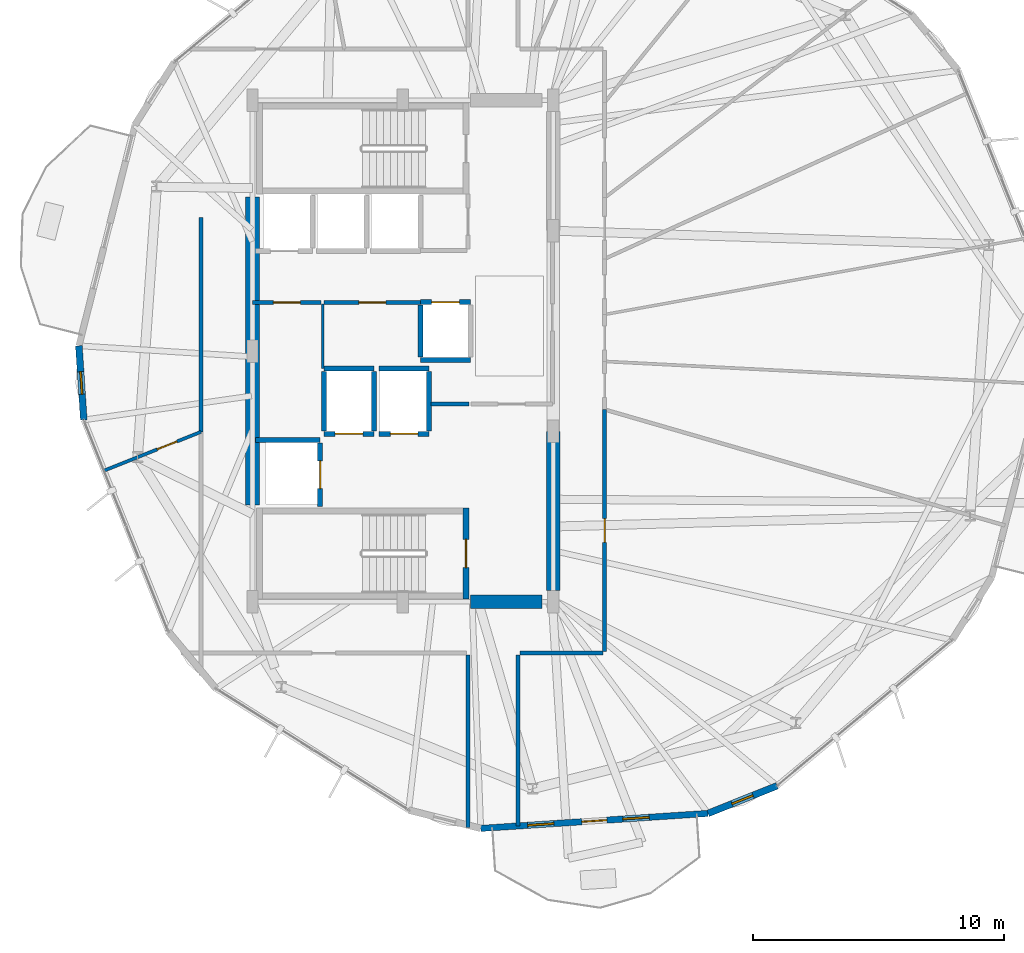
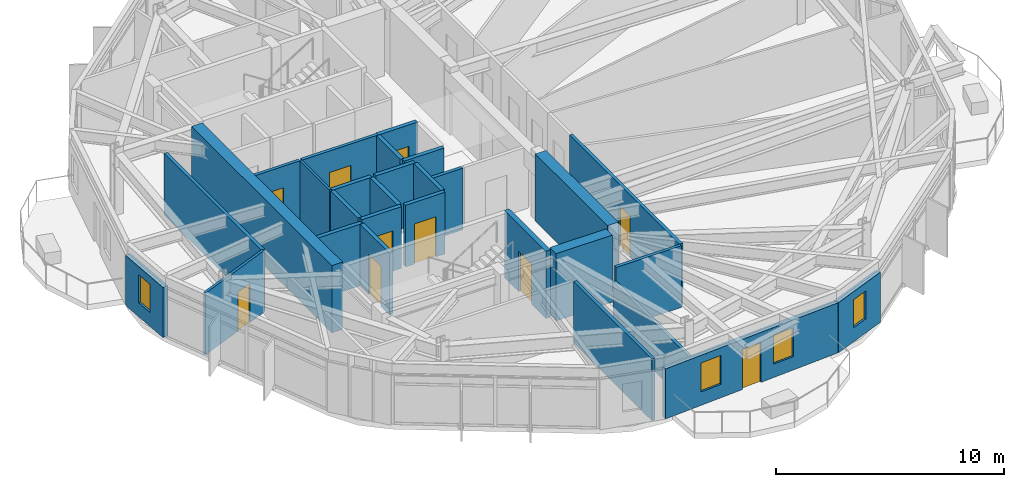
# One storey, part 19 of 24: 29 walls, 10 doors, 4 windows, 14 openings.
"""IFC4 building model written with IfcOpenShell, lengths in metres."""

from ifc_helpers import new_model, si_unit, direction, frame, frame_2d, origin, place, context, subcontext, project, spatial, rectangle, extrude, material, layer, layer_set, type_object, element, fill, save


model = new_model("IFC4")

# Units and contexts
model_context = context("Model", 3, precision=1e-05, world=origin(), true_north=direction((0.0, 1.0)))
body_context = subcontext(model_context, "Body", "Model", "MODEL_VIEW")
ifc_project = project(units=[si_unit("LENGTHUNIT", "METRE"), si_unit("AREAUNIT", "SQUARE_METRE"), si_unit("VOLUMEUNIT", "CUBIC_METRE"), si_unit("PLANEANGLEUNIT", "RADIAN"), si_unit("MASSUNIT", "GRAM", prefix="KILO")], contexts=[model_context])

# Site, building, storey
site_placement = place(None, origin())
site = spatial("IfcSite", under=ifc_project, at=site_placement, CompositionType="ELEMENT")
building_placement = place(site_placement, origin())
building = spatial("IfcBuilding", under=site, at=building_placement, Name="Soratama Intermodal Tower", CompositionType="ELEMENT")
storey_placement = place(building_placement, frame((0.0, 0.0, 178.60009765625)))
storey = spatial("IfcBuildingStorey", under=building, at=storey_placement, Name="L44", CompositionType="ELEMENT", Elevation=178.60009765625)

# Wall, openings, door, windows
ifc_material_1 = material(Name="Concrete f'c 42 MPa", Category="concrete")
ifc_layer_1 = layer(ifc_material_1, 0.25)
ifc_layer_set_1 = layer_set([ifc_layer_1], Name="Concrete f'c 42 MPa")
wall_type_1 = type_object("IfcWallType", Name="EW-BAL-250", PredefinedType="SOLIDWALL", material=ifc_layer_set_1)
wall_1_placement = place(storey_placement, frame((41.70458984375, 5.9580078125, 0.0), z_axis=(0.0, 0.0, 1.0), x_axis=(0.997825981394, 0.06590380001, 0.0)))
wall_1 = element("IfcWall", 1, at=wall_1_placement, inside=storey, type_object=wall_type_1, Name="L44 Terrace Wall F07", PredefinedType="SOLIDWALL", context=body_context, shape_type="SweptSolid", body=[
    extrude(rectangle(XDim=9.087158203125, YDim=0.25, at=frame_2d((4.54345703125, 0.0))), origin(), (0.0, 0.0, 1.0), 2.678955078125),
])
opening_1_placement = place(wall_1_placement, frame((4.04345703125, 0.0, 0.0)))
opening_1 = element("IfcOpeningElement", 2, at=opening_1_placement, cuts=wall_1, Name="Opening ED-2", PredefinedType="OPENING", context=body_context, shape_type="SweptSolid", body=[
    extrude(rectangle(XDim=1.0, YDim=2.14990234375, at=frame_2d((0.5, 1.074951171875))), frame((0.0, 0.135009765625, 0.0), z_axis=(0.0, -1.0, 0.0), x_axis=(1.0, 0.0, 0.0)), (0.0, 0.0, 1.0), 0.27001953125),
])
opening_2_placement = place(wall_1_placement, frame((1.875, 0.0, 0.719970703125)))
opening_2 = element("IfcOpeningElement", 3, at=opening_2_placement, cuts=wall_1, Name="Opening WN-5", PredefinedType="OPENING", context=body_context, shape_type="SweptSolid", body=[
    extrude(rectangle(XDim=1.050048828125, YDim=1.550048828125, at=frame_2d((0.52490234375, 0.77490234375))), frame((0.0, 0.135009765625, 0.0), z_axis=(0.0, -1.0, 0.0), x_axis=(1.0, 0.0, 0.0)), (0.0, 0.0, 1.0), 0.27001953125),
])
opening_3_placement = place(wall_1_placement, frame((5.68359375, 0.0, 0.719970703125)))
opening_3 = element("IfcOpeningElement", 4, at=opening_3_placement, cuts=wall_1, Name="Opening WN-5", PredefinedType="OPENING", context=body_context, shape_type="SweptSolid", body=[
    extrude(rectangle(XDim=1.050048828125, YDim=1.550048828125, at=frame_2d((0.52490234375, 0.77490234375))), frame((0.0, 0.135009765625, 0.0), z_axis=(0.0, -1.0, 0.0), x_axis=(1.0, 0.0, 0.0)), (0.0, 0.0, 1.0), 0.27001953125),
])
ifc_material_2 = material(Name="Double-glazed aluminium door", Category="aluminium")
door_type_1 = type_object("IfcDoorType", Name="DR-BAL-1000", OperationType="NOTDEFINED", PredefinedType="DOOR", material=ifc_material_2)
door_1_placement = place(opening_1_placement, origin())
door_1 = element("IfcDoor", 5, at=door_1_placement, inside=storey, type_object=door_type_1, Name="L44 Balcony Door F07", OperationType="SINGLE_SWING_LEFT", OverallHeight=2.14990234375, OverallWidth=1.0, PredefinedType="DOOR", context=body_context, shape_type="SweptSolid", body=[
    extrude(rectangle(XDim=1.0, YDim=2.14990234375, at=frame_2d((0.5, 1.074951171875))), frame((0.0, 0.02490234375, 0.0), z_axis=(0.0, -1.0, 0.0), x_axis=(1.0, 0.0, 0.0)), (0.0, 0.0, 1.0), 0.050048828125),
])
fill(opening_1, door_1)
ifc_material_3 = material(Name="Double-glazed aluminium window", Category="aluminium")
window_type_1 = type_object("IfcWindowType", Name="WN-FAC-1050", PartitioningType="SINGLE_PANEL", PredefinedType="WINDOW", material=ifc_material_3)
window_1_placement = place(opening_2_placement, origin())
window_1 = element("IfcWindow", 6, at=window_1_placement, inside=storey, type_object=window_type_1, Name="L44 Window A F07", OverallHeight=1.550048828125, OverallWidth=1.050048828125, PartitioningType="SINGLE_PANEL", PredefinedType="WINDOW", context=body_context, shape_type="SweptSolid", body=[
    extrude(rectangle(XDim=1.050048828125, YDim=1.550048828125, at=frame_2d((0.52490234375, 0.77490234375))), frame((0.0, 0.030029296875, 0.0), z_axis=(0.0, -1.0, 0.0), x_axis=(1.0, 0.0, 0.0)), (0.0, 0.0, 1.0), 0.06005859375),
])
fill(opening_2, window_1)
window_2_placement = place(opening_3_placement, origin())
window_2 = element("IfcWindow", 7, at=window_2_placement, inside=storey, type_object=window_type_1, Name="L44 Window B F07", OverallHeight=1.550048828125, OverallWidth=1.050048828125, PartitioningType="SINGLE_PANEL", PredefinedType="WINDOW", context=body_context, shape_type="SweptSolid", body=[
    extrude(rectangle(XDim=1.050048828125, YDim=1.550048828125, at=frame_2d((0.52490234375, 0.77490234375))), frame((0.0, 0.030029296875, 0.0), z_axis=(0.0, -1.0, 0.0), x_axis=(1.0, 0.0, 0.0)), (0.0, 0.0, 1.0), 0.06005859375),
])
fill(opening_3, window_2)

# Wall, opening, window
ifc_material_4 = material(Name="Concrete f'c 42 MPa", Category="concrete")
ifc_layer_2 = layer(ifc_material_4, 0.27001953125)
ifc_layer_set_2 = layer_set([ifc_layer_2], Name="Concrete f'c 42 MPa")
wall_type_2 = type_object("IfcWallType", Name="EW-CRN-270", PredefinedType="SOLIDWALL", material=ifc_layer_set_2)
wall_2_placement = place(storey_placement, frame((25.676025390625, 25.209716796875, 0.0), z_axis=(0.0, 0.0, 1.0), x_axis=(0.065923586617, -0.997824674343, 0.0)))
wall_2 = element("IfcWall", 8, at=wall_2_placement, inside=storey, type_object=wall_type_2, Name="L44 Corner Closure Wall 04", PredefinedType="SOLIDWALL", context=body_context, shape_type="SweptSolid", body=[
    extrude(rectangle(XDim=2.96630859375, YDim=0.27001953125, at=frame_2d((1.483154296875, 0.0))), origin(), (0.0, 0.0, 1.0), 2.678955078125),
])
opening_4_placement = place(wall_2_placement, frame((1.033203125, 0.0, 0.75)))
opening_4 = element("IfcOpeningElement", 9, at=opening_4_placement, cuts=wall_2, Name="Opening WN-6", PredefinedType="OPENING", context=body_context, shape_type="SweptSolid", body=[
    extrude(rectangle(XDim=0.89990234375, YDim=1.5, at=frame_2d((0.449951171875, 0.75))), frame((0.0, 0.14501953125, 0.0), z_axis=(0.0, -1.0, 0.0), x_axis=(1.0, 0.0, 0.0)), (0.0, 0.0, 1.0), 0.2900390625),
])
ifc_material_5 = material(Name="Double-glazed aluminium window", Category="aluminium")
window_type_2 = type_object("IfcWindowType", Name="WN-FAC-900", PartitioningType="SINGLE_PANEL", PredefinedType="WINDOW", material=ifc_material_5)
window_3_placement = place(opening_4_placement, origin())
window_3 = element("IfcWindow", 10, at=window_3_placement, inside=storey, type_object=window_type_2, Name="L44 Corner Window 04", OverallHeight=1.5, OverallWidth=0.89990234375, PartitioningType="SINGLE_PANEL", PredefinedType="WINDOW", context=body_context, shape_type="SweptSolid", body=[
    extrude(rectangle(XDim=0.89990234375, YDim=1.5, at=frame_2d((0.449951171875, 0.75))), frame((0.0, 0.030029296875, 0.0), z_axis=(0.0, -1.0, 0.0), x_axis=(1.0, 0.0, 0.0)), (0.0, 0.0, 1.0), 0.06005859375),
])
fill(opening_4, window_3)

wall_3_placement = place(storey_placement, frame((50.77197265625, 6.556884765625, 0.0), z_axis=(0.0, 0.0, 1.0), x_axis=(0.928595836805, 0.371092672884, 0.0)))
wall_3 = element("IfcWall", 11, at=wall_3_placement, inside=storey, type_object=wall_type_2, Name="L44 Corner Closure Wall 07", PredefinedType="SOLIDWALL", context=body_context, shape_type="SweptSolid", body=[
    extrude(rectangle(XDim=2.966552734375, YDim=0.27001953125, at=frame_2d((1.4833984375, 0.0))), origin(), (0.0, 0.0, 1.0), 2.678955078125),
])
opening_5_placement = place(wall_3_placement, frame((1.033203125, 0.0, 0.75)))
opening_5 = element("IfcOpeningElement", 12, at=opening_5_placement, cuts=wall_3, Name="Opening WN-6", PredefinedType="OPENING", context=body_context, shape_type="SweptSolid", body=[
    extrude(rectangle(XDim=0.89990234375, YDim=1.5, at=frame_2d((0.449951171875, 0.75))), frame((0.0, 0.14501953125, 0.0), z_axis=(0.0, -1.0, 0.0), x_axis=(1.0, 0.0, 0.0)), (0.0, 0.0, 1.0), 0.2900390625),
])
window_4_placement = place(opening_5_placement, origin())
window_4 = element("IfcWindow", 13, at=window_4_placement, inside=storey, type_object=window_type_2, Name="L44 Corner Window 07", OverallHeight=1.5, OverallWidth=0.89990234375, PartitioningType="SINGLE_PANEL", PredefinedType="WINDOW", context=body_context, shape_type="SweptSolid", body=[
    extrude(rectangle(XDim=0.89990234375, YDim=1.5, at=frame_2d((0.449951171875, 0.75))), frame((0.0, 0.030029296875, 0.0), z_axis=(0.0, -1.0, 0.0), x_axis=(1.0, 0.0, 0.0)), (0.0, 0.0, 1.0), 0.06005859375),
])
fill(opening_5, window_4)

# Wall, opening, door
ifc_material_6 = material(Name="Fire-rated gypsum stud partition", Category="concrete")
ifc_layer_3 = layer(ifc_material_6, 0.159912109375)
ifc_layer_set_3 = layer_set([ifc_layer_3], Name="Fire-rated gypsum stud partition")
wall_type_3 = type_object("IfcWallType", Name="IW-PART-R160", PredefinedType="PARTITIONING", material=ifc_layer_set_3)
wall_4_placement = place(storey_placement, frame((46.64990234375, 22.6669921875, 0.0), z_axis=(0.0, 0.0, 1.0), x_axis=(0.0, -1.0, 0.0)))
wall_4 = element("IfcWall", 14, at=wall_4_placement, inside=storey, type_object=wall_type_3, Name="L44 Partition W-L44-TP008", PredefinedType="PARTITIONING", context=body_context, shape_type="SweptSolid", body=[
    extrude(rectangle(XDim=9.64697265625, YDim=0.159912109375, at=frame_2d((4.823486328125, 0.0))), origin(), (0.0, 0.0, 1.0), 3.2998046875),
])
opening_6_placement = place(wall_4_placement, frame((4.34912109375, 0.0, 0.0)))
opening_6 = element("IfcOpeningElement", 15, at=opening_6_placement, cuts=wall_4, Name="Opening ID-3", PredefinedType="OPENING", context=body_context, shape_type="SweptSolid", body=[
    extrude(rectangle(XDim=0.949951171875, YDim=2.14990234375, at=frame_2d((0.47509765625, 1.074951171875))), frame((0.0, 0.08984375, 0.0), z_axis=(0.0, -1.0, 0.0), x_axis=(1.0, 0.0, 0.0)), (0.0, 0.0, 1.0), 0.179931640625),
])
ifc_material_7 = material(Name="Solid hardwood acoustic door", Category="wood")
door_type_2 = type_object("IfcDoorType", Name="DR-ROOM-950", OperationType="NOTDEFINED", PredefinedType="DOOR", material=ifc_material_7)
door_2_placement = place(opening_6_placement, origin())
door_2 = element("IfcDoor", 16, at=door_2_placement, inside=storey, type_object=door_type_2, Name="L44 Door D-L44-TP002", OperationType="SINGLE_SWING_LEFT", OverallHeight=2.14990234375, OverallWidth=0.949951171875, PredefinedType="DOOR", context=body_context, shape_type="SweptSolid", body=[
    extrude(rectangle(XDim=0.949951171875, YDim=2.14990234375, at=frame_2d((0.47509765625, 1.074951171875))), frame((0.0, 0.02490234375, 0.0), z_axis=(0.0, -1.0, 0.0), x_axis=(1.0, 0.0, 0.0)), (0.0, 0.0, 1.0), 0.050048828125),
])
fill(opening_6, door_2)

# Walls
wall_5_placement = place(storey_placement, frame((41.199951171875, 6.00390625, 0.0), z_axis=(0.0, 0.0, 1.0), x_axis=(0.0, 1.0, 0.0)))
element("IfcWall", 17, at=wall_5_placement, inside=storey, type_object=wall_type_3, Name="L44 Partition W-L44-TP012", PredefinedType="PARTITIONING", context=body_context, shape_type="SweptSolid", body=[
    extrude(rectangle(XDim=6.8759765625, YDim=0.159912109375, at=frame_2d((3.43798828125, 0.0))), origin(), (0.0, 0.0, 1.0), 3.2998046875),
])
wall_6_placement = place(storey_placement, frame((43.199951171875, 12.8798828125, 0.0), z_axis=(0.0, 0.0, 1.0), x_axis=(0.0, -1.0, 0.0)))
element("IfcWall", 18, at=wall_6_placement, inside=storey, type_object=wall_type_3, Name="L44 Partition W-L44-TP013", PredefinedType="PARTITIONING", context=body_context, shape_type="SweptSolid", body=[
    extrude(rectangle(XDim=6.822998046875, YDim=0.159912109375, at=frame_2d((3.41162109375, 0.0))), origin(), (0.0, 0.0, 1.0), 2.594970703125),
])

# Wall, opening, door
wall_7_placement = place(storey_placement, frame((39.300048828125, 26.93994140625, 0.0), z_axis=(0.0, 0.0, 1.0), x_axis=(-1.0, 0.0, 0.0)))
wall_7 = element("IfcWall", 19, at=wall_7_placement, inside=storey, type_object=wall_type_3, Name="L44 Partition W-L44-TP020", PredefinedType="PARTITIONING", context=body_context, shape_type="SweptSolid", body=[
    extrude(rectangle(XDim=3.840087890625, YDim=0.159912109375, at=frame_2d((1.919921875, 0.0))), origin(), (0.0, 0.0, 1.0), 3.2998046875),
])
opening_7_placement = place(wall_7_placement, frame((1.3798828125, 0.0, 0.0)))
opening_7 = element("IfcOpeningElement", 20, at=opening_7_placement, cuts=wall_7, Name="Opening ID-1", PredefinedType="OPENING", context=body_context, shape_type="SweptSolid", body=[
    extrude(rectangle(XDim=1.080078125, YDim=2.14990234375, at=frame_2d((0.5400390625, 1.074951171875))), frame((0.0, 0.08984375, 0.0), z_axis=(0.0, -1.0, 0.0), x_axis=(1.0, 0.0, 0.0)), (0.0, 0.0, 1.0), 0.179931640625),
])
ifc_material_8 = material(Name="Solid hardwood acoustic door", Category="wood")
door_type_3 = type_object("IfcDoorType", Name="DR-LOB-FD60", OperationType="NOTDEFINED", PredefinedType="DOOR", material=ifc_material_8)
door_3_placement = place(opening_7_placement, origin())
door_3 = element("IfcDoor", 21, at=door_3_placement, inside=storey, type_object=door_type_3, Name="L44 Door D-L44-TP007", OperationType="SINGLE_SWING_RIGHT", OverallHeight=2.14990234375, OverallWidth=1.080078125, PredefinedType="DOOR", context=body_context, shape_type="SweptSolid", body=[
    extrude(rectangle(XDim=1.080078125, YDim=2.14990234375, at=frame_2d((0.5400390625, 1.074951171875))), frame((0.0, 0.02490234375, 0.0), z_axis=(0.0, -1.0, 0.0), x_axis=(1.0, 0.0, 0.0)), (0.0, 0.0, 1.0), 0.050048828125),
])
fill(opening_7, door_3)

# Wall
wall_8_placement = place(storey_placement, frame((46.580078125, 12.949951171875, 0.0), z_axis=(0.0, 0.0, 1.0), x_axis=(-1.0, 0.0, 0.0)))
element("IfcWall", 22, at=wall_8_placement, inside=storey, type_object=wall_type_3, Name="L44 Partition W-L44-TP022", PredefinedType="PARTITIONING", context=body_context, shape_type="SweptSolid", body=[
    extrude(rectangle(XDim=3.31005859375, YDim=0.159912109375, at=frame_2d((1.655029296875, 0.0))), origin(), (0.0, 0.0, 1.0), 3.2998046875),
])

# Wall, opening, door
wall_9_placement = place(storey_placement, frame((35.340087890625, 26.93994140625, 0.0), z_axis=(0.0, 0.0, 1.0), x_axis=(-1.0, 0.0, 0.0)))
wall_9 = element("IfcWall", 23, at=wall_9_placement, inside=storey, type_object=wall_type_3, Name="L44 Partition W-L44-TP024", PredefinedType="PARTITIONING", context=body_context, shape_type="SweptSolid", body=[
    extrude(rectangle(XDim=2.739990234375, YDim=0.159912109375, at=frame_2d((1.3701171875, 0.0))), origin(), (0.0, 0.0, 1.0), 3.2998046875),
])
opening_8_placement = place(wall_9_placement, frame((0.830078125, 0.0, 0.0)))
opening_8 = element("IfcOpeningElement", 24, at=opening_8_placement, cuts=wall_9, Name="Opening ID-1", PredefinedType="OPENING", context=body_context, shape_type="SweptSolid", body=[
    extrude(rectangle(XDim=1.080078125, YDim=2.14990234375, at=frame_2d((0.5400390625, 1.074951171875))), frame((0.0, 0.08984375, 0.0), z_axis=(0.0, -1.0, 0.0), x_axis=(1.0, 0.0, 0.0)), (0.0, 0.0, 1.0), 0.179931640625),
])
door_4_placement = place(opening_8_placement, origin())
door_4 = element("IfcDoor", 25, at=door_4_placement, inside=storey, type_object=door_type_3, Name="L44 Door D-L44-TP010", OperationType="SINGLE_SWING_LEFT", OverallHeight=2.14990234375, OverallWidth=1.080078125, PredefinedType="DOOR", context=body_context, shape_type="SweptSolid", body=[
    extrude(rectangle(XDim=1.080078125, YDim=2.14990234375, at=frame_2d((0.5400390625, 1.074951171875))), frame((0.0, 0.02490234375, 0.0), z_axis=(0.0, -1.0, 0.0), x_axis=(1.0, 0.0, 0.0)), (0.0, 0.0, 1.0), 0.050048828125),
])
fill(opening_8, door_4)

# Walls
wall_10_placement = place(storey_placement, frame((30.550048828125, 21.778076171875, 0.0), z_axis=(0.0, 0.0, 1.0), x_axis=(0.0, 1.0, 0.0)))
element("IfcWall", 26, at=wall_10_placement, inside=storey, type_object=wall_type_3, Name="L44 Partition W-L44-TP036", PredefinedType="PARTITIONING", context=body_context, shape_type="SweptSolid", body=[
    extrude(rectangle(XDim=8.554931640625, YDim=0.159912109375, at=frame_2d((4.27734375, 0.0))), origin(), (0.0, 0.0, 1.0), 3.2998046875),
])
ifc_material_9 = material(Name="Fire-rated gypsum stud partition", Category="concrete")
ifc_layer_4 = layer(ifc_material_9, 0.169921875)
ifc_layer_set_4 = layer_set([ifc_layer_4], Name="Fire-rated gypsum stud partition")
wall_type_4 = type_object("IfcWallType", Name="IW-PART-R170", PredefinedType="PARTITIONING", material=ifc_layer_set_4)
wall_11_placement = place(storey_placement, frame((39.719970703125, 22.889892578125, 0.0), z_axis=(0.0, 0.0, 1.0), x_axis=(1.0, 0.0, 0.0)))
element("IfcWall", 27, at=wall_11_placement, inside=storey, type_object=wall_type_4, Name="L44 Partition W-L44-TP034", PredefinedType="PARTITIONING", context=body_context, shape_type="SweptSolid", body=[
    extrude(rectangle(XDim=1.52001953125, YDim=0.169921875, at=frame_2d((0.760009765625, 0.0))), origin(), (0.0, 0.0, 1.0), 3.2998046875),
])
ifc_material_10 = material(Name="Fire-rated gypsum stud partition", Category="concrete")
ifc_layer_5 = layer(ifc_material_10, 0.110107421875)
ifc_layer_set_5 = layer_set([ifc_layer_5], Name="Fire-rated gypsum stud partition")
wall_type_5 = type_object("IfcWallType", Name="IW-PART-S110", PredefinedType="PARTITIONING", material=ifc_layer_set_5)
wall_12_placement = place(storey_placement, frame((35.39990234375, 26.8798828125, 0.0), z_axis=(0.0, 0.0, 1.0), x_axis=(0.0, -1.0, 0.0)))
element("IfcWall", 28, at=wall_12_placement, inside=storey, type_object=wall_type_5, Name="L44 Partition W-L44-TP026", PredefinedType="PARTITIONING", context=body_context, shape_type="SweptSolid", body=[
    extrude(rectangle(XDim=2.579833984375, YDim=0.110107421875, at=frame_2d((1.2900390625, 0.0))), origin(), (0.0, 0.0, 1.0), 3.2998046875),
])

# Wall, opening, door
ifc_material_11 = material(Name="Fire-rated gypsum stud partition", Category="concrete")
ifc_layer_6 = layer(ifc_material_11, 0.1298828125)
ifc_layer_set_6 = layer_set([ifc_layer_6], Name="Fire-rated gypsum stud partition")
wall_type_6 = type_object("IfcWallType", Name="IW-PART-S130", PredefinedType="PARTITIONING", material=ifc_layer_set_6)
wall_13_placement = place(storey_placement, frame((30.550048828125, 21.778076171875, 0.0), z_axis=(0.0, 0.0, 1.0), x_axis=(-0.928504957858, -0.371320001121, 0.0)))
wall_13 = element("IfcWall", 29, at=wall_13_placement, inside=storey, type_object=wall_type_6, Name="L44 Partition W-L44-TP019", PredefinedType="PARTITIONING", context=body_context, shape_type="SweptSolid", body=[
    extrude(rectangle(XDim=4.169189453125, YDim=0.1298828125, at=frame_2d((2.08447265625, 0.0))), origin(), (0.0, 0.0, 1.0), 3.2998046875),
])
opening_9_placement = place(wall_13_placement, frame((1.033935546875, 0.0, 0.0)))
opening_9 = element("IfcOpeningElement", 30, at=opening_9_placement, cuts=wall_13, Name="Opening ID-4", PredefinedType="OPENING", context=body_context, shape_type="SweptSolid", body=[
    extrude(rectangle(XDim=0.85009765625, YDim=2.10009765625, at=frame_2d((0.425048828125, 1.050048828125))), frame((0.0, 0.074951171875, 0.0), z_axis=(0.0, -1.0, 0.0), x_axis=(1.0, 0.0, 0.0)), (0.0, 0.0, 1.0), 0.14990234375),
])
ifc_material_12 = material(Name="Solid hardwood acoustic door", Category="wood")
door_type_4 = type_object("IfcDoorType", Name="DR-BATH-850", OperationType="NOTDEFINED", PredefinedType="DOOR", material=ifc_material_12)
door_5_placement = place(opening_9_placement, origin())
door_5 = element("IfcDoor", 31, at=door_5_placement, inside=storey, type_object=door_type_4, Name="L44 Door D-L44-TP017", OperationType="SINGLE_SWING_LEFT", OverallHeight=2.10009765625, OverallWidth=0.85009765625, PredefinedType="DOOR", context=body_context, shape_type="SweptSolid", body=[
    extrude(rectangle(XDim=0.85009765625, YDim=2.10009765625, at=frame_2d((0.425048828125, 1.050048828125))), frame((0.0, 0.02490234375, 0.0), z_axis=(0.0, -1.0, 0.0), x_axis=(1.0, 0.0, 0.0)), (0.0, 0.0, 1.0), 0.050048828125),
])
fill(opening_9, door_5)

ifc_material_13 = material(Name="Concrete f'c 42 MPa", Category="concrete")
ifc_layer_7 = layer(ifc_material_13, 0.199951171875)
ifc_layer_set_7 = layer_set([ifc_layer_7], Name="Concrete f'c 42 MPa")
wall_type_7 = type_object("IfcWallType", Name="IW-SHAFT-200", PredefinedType="SOLIDWALL", material=ifc_layer_set_7)
wall_14_placement = place(storey_placement, frame((35.449951171875, 21.699951171875, 0.0), z_axis=(0.0, 0.0, 1.0), x_axis=(1.0, 0.0, 0.0)))
wall_14 = element("IfcWall", 32, at=wall_14_placement, inside=storey, type_object=wall_type_7, Name="L44 FFL-1 Hoistway Wall S", PredefinedType="SOLIDWALL", context=body_context, shape_type="SweptSolid", body=[
    extrude(rectangle(XDim=2.0, YDim=0.199951171875, at=frame_2d((1.0, 0.0))), origin(), (0.0, 0.0, 1.0), 3.2998046875),
])
opening_10_placement = place(wall_14_placement, frame((0.449951171875, 0.0, 0.0)))
opening_10 = element("IfcOpeningElement", 33, at=opening_10_placement, cuts=wall_14, Name="Opening LD-1", PredefinedType="OPENING", context=body_context, shape_type="SweptSolid", body=[
    extrude(rectangle(XDim=1.10009765625, YDim=2.14990234375, at=frame_2d((0.550048828125, 1.074951171875))), frame((0.0, 0.10986328125, 0.0), z_axis=(0.0, -1.0, 0.0), x_axis=(1.0, 0.0, 0.0)), (0.0, 0.0, 1.0), 0.219970703125),
])
ifc_material_14 = material(Name="Steel fire door", Category="steel")
door_type_5 = type_object("IfcDoorType", Name="DR-LIFT-SLIDE", OperationType="NOTDEFINED", PredefinedType="DOOR", material=ifc_material_14)
door_6_placement = place(opening_10_placement, origin())
door_6 = element("IfcDoor", 34, at=door_6_placement, inside=storey, type_object=door_type_5, Name="L44 FFL-1 Sliding Landing Door", OperationType="SLIDING_TO_LEFT", OverallHeight=2.14990234375, OverallWidth=1.10009765625, PredefinedType="DOOR", context=body_context, shape_type="SweptSolid", body=[
    extrude(rectangle(XDim=1.10009765625, YDim=2.14990234375, at=frame_2d((0.550048828125, 1.074951171875))), frame((0.0, 0.02490234375, 0.0), z_axis=(0.0, -1.0, 0.0), x_axis=(1.0, 0.0, 0.0)), (0.0, 0.0, 1.0), 0.050048828125),
])
fill(opening_10, door_6)

# Walls
wall_15_placement = place(storey_placement, frame((35.449951171875, 24.300048828125, 0.0), z_axis=(0.0, 0.0, 1.0), x_axis=(1.0, 0.0, 0.0)))
element("IfcWall", 35, at=wall_15_placement, inside=storey, type_object=wall_type_7, Name="L44 FFL-1 Hoistway Wall N", PredefinedType="SOLIDWALL", context=body_context, shape_type="SweptSolid", body=[
    extrude(rectangle(XDim=2.0, YDim=0.199951171875, at=frame_2d((1.0, 0.0))), origin(), (0.0, 0.0, 1.0), 3.2998046875),
])
for number, where, z_axis, x_axis, name in (
    (36, (35.449951171875, 21.81005859375, 0.0), (0.0, 0.0, 1.0), (0.0, 1.0, 0.0), "L44 FFL-1 Hoistway Wall W"),
    (37, (37.449951171875, 21.81005859375, 0.0), (0.0, 0.0, 1.0), (0.0, 1.0, 0.0), "L44 FFL-1 Hoistway Wall E"),
):
    element("IfcWall", number, at=place(storey_placement, frame(where, z_axis=z_axis, x_axis=x_axis)), inside=storey, type_object=wall_type_7, Name=name, PredefinedType="SOLIDWALL", context=body_context, shape_type="SweptSolid", body=[
        extrude(rectangle(XDim=2.3798828125, YDim=0.199951171875, at=frame_2d((1.18994140625, 0.0))), origin(), (0.0, 0.0, 1.0), 3.2998046875),
    ])

# Wall, opening, door
wall_16_placement = place(storey_placement, frame((37.64990234375, 21.699951171875, 0.0), z_axis=(0.0, 0.0, 1.0), x_axis=(1.0, 0.0, 0.0)))
wall_16 = element("IfcWall", 38, at=wall_16_placement, inside=storey, type_object=wall_type_7, Name="L44 FFL-2 Hoistway Wall S", PredefinedType="SOLIDWALL", context=body_context, shape_type="SweptSolid", body=[
    extrude(rectangle(XDim=2.0, YDim=0.199951171875, at=frame_2d((1.0, 0.0))), origin(), (0.0, 0.0, 1.0), 3.2998046875),
])
opening_11_placement = place(wall_16_placement, frame((0.449951171875, 0.0, 0.0)))
opening_11 = element("IfcOpeningElement", 39, at=opening_11_placement, cuts=wall_16, Name="Opening LD-1", PredefinedType="OPENING", context=body_context, shape_type="SweptSolid", body=[
    extrude(rectangle(XDim=1.10009765625, YDim=2.14990234375, at=frame_2d((0.550048828125, 1.074951171875))), frame((0.0, 0.10986328125, 0.0), z_axis=(0.0, -1.0, 0.0), x_axis=(1.0, 0.0, 0.0)), (0.0, 0.0, 1.0), 0.219970703125),
])
door_7_placement = place(opening_11_placement, origin())
door_7 = element("IfcDoor", 40, at=door_7_placement, inside=storey, type_object=door_type_5, Name="L44 FFL-2 Sliding Landing Door", OperationType="SLIDING_TO_LEFT", OverallHeight=2.14990234375, OverallWidth=1.10009765625, PredefinedType="DOOR", context=body_context, shape_type="SweptSolid", body=[
    extrude(rectangle(XDim=1.10009765625, YDim=2.14990234375, at=frame_2d((0.550048828125, 1.074951171875))), frame((0.0, 0.02490234375, 0.0), z_axis=(0.0, -1.0, 0.0), x_axis=(1.0, 0.0, 0.0)), (0.0, 0.0, 1.0), 0.050048828125),
])
fill(opening_11, door_7)

# Walls
wall_17_placement = place(storey_placement, frame((37.64990234375, 24.300048828125, 0.0), z_axis=(0.0, 0.0, 1.0), x_axis=(1.0, 0.0, 0.0)))
element("IfcWall", 41, at=wall_17_placement, inside=storey, type_object=wall_type_7, Name="L44 FFL-2 Hoistway Wall N", PredefinedType="SOLIDWALL", context=body_context, shape_type="SweptSolid", body=[
    extrude(rectangle(XDim=2.0, YDim=0.199951171875, at=frame_2d((1.0, 0.0))), origin(), (0.0, 0.0, 1.0), 3.2998046875),
])
wall_18_placement = place(storey_placement, frame((39.64990234375, 21.81005859375, 0.0), z_axis=(0.0, 0.0, 1.0), x_axis=(0.0, 1.0, 0.0)))
element("IfcWall", 42, at=wall_18_placement, inside=storey, type_object=wall_type_7, Name="L44 FFL-2 Hoistway Wall E", PredefinedType="SOLIDWALL", context=body_context, shape_type="SweptSolid", body=[
    extrude(rectangle(XDim=2.3798828125, YDim=0.199951171875, at=frame_2d((1.18994140625, 0.0))), origin(), (0.0, 0.0, 1.0), 3.2998046875),
])
wall_19_placement = place(storey_placement, frame((32.719970703125, 21.449951171875, 0.0), z_axis=(0.0, 0.0, 1.0), x_axis=(1.0, 0.0, 0.0)))
element("IfcWall", 43, at=wall_19_placement, inside=storey, type_object=wall_type_7, Name="L44 SVL-1 Hoistway Wall N", PredefinedType="SOLIDWALL", context=body_context, shape_type="SweptSolid", body=[
    extrude(rectangle(XDim=2.580078125, YDim=0.199951171875, at=frame_2d((1.2900390625, 0.0))), origin(), (0.0, 0.0, 1.0), 3.2998046875),
])

# Wall, opening, door
wall_20_placement = place(storey_placement, frame((35.300048828125, 18.7900390625, 0.0), z_axis=(0.0, 0.0, 1.0), x_axis=(0.0, 1.0, 0.0)))
wall_20 = element("IfcWall", 44, at=wall_20_placement, inside=storey, type_object=wall_type_7, Name="L44 SVL-1 Hoistway Wall E", PredefinedType="SOLIDWALL", context=body_context, shape_type="SweptSolid", body=[
    extrude(rectangle(XDim=2.550048828125, YDim=0.199951171875, at=frame_2d((1.27490234375, 0.0))), origin(), (0.0, 0.0, 1.0), 3.2998046875),
])
opening_12_placement = place(wall_20_placement, frame((0.72509765625, 0.0, 0.0)))
opening_12 = element("IfcOpeningElement", 45, at=opening_12_placement, cuts=wall_20, Name="Opening LD-1", PredefinedType="OPENING", context=body_context, shape_type="SweptSolid", body=[
    extrude(rectangle(XDim=1.10009765625, YDim=2.14990234375, at=frame_2d((0.550048828125, 1.074951171875))), frame((0.0, 0.10986328125, 0.0), z_axis=(0.0, -1.0, 0.0), x_axis=(1.0, 0.0, 0.0)), (0.0, 0.0, 1.0), 0.219970703125),
])
door_8_placement = place(opening_12_placement, origin())
door_8 = element("IfcDoor", 46, at=door_8_placement, inside=storey, type_object=door_type_5, Name="L44 SVL-1 Sliding Landing Door", OperationType="SLIDING_TO_LEFT", OverallHeight=2.14990234375, OverallWidth=1.10009765625, PredefinedType="DOOR", context=body_context, shape_type="SweptSolid", body=[
    extrude(rectangle(XDim=1.10009765625, YDim=2.14990234375, at=frame_2d((0.550048828125, 1.074951171875))), frame((0.0, 0.02490234375, 0.0), z_axis=(0.0, -1.0, 0.0), x_axis=(1.0, 0.0, 0.0)), (0.0, 0.0, 1.0), 0.050048828125),
])
fill(opening_12, door_8)

# Wall
wall_21_placement = place(storey_placement, frame((39.300048828125, 24.64990234375, 0.0), z_axis=(0.0, 0.0, 1.0), x_axis=(1.0, 0.0, 0.0)))
element("IfcWall", 47, at=wall_21_placement, inside=storey, type_object=wall_type_7, Name="L44 PL-M1 Hoistway Wall S", PredefinedType="SOLIDWALL", context=body_context, shape_type="SweptSolid", body=[
    extrude(rectangle(XDim=2.0, YDim=0.199951171875, at=frame_2d((1.0, 0.0))), origin(), (0.0, 0.0, 1.0), 3.2998046875),
])

# Wall, opening, door
wall_22_placement = place(storey_placement, frame((39.300048828125, 26.949951171875, 0.0), z_axis=(0.0, 0.0, 1.0), x_axis=(1.0, 0.0, 0.0)))
wall_22 = element("IfcWall", 48, at=wall_22_placement, inside=storey, type_object=wall_type_7, Name="L44 PL-M1 Hoistway Wall N", PredefinedType="SOLIDWALL", context=body_context, shape_type="SweptSolid", body=[
    extrude(rectangle(XDim=2.0, YDim=0.199951171875, at=frame_2d((1.0, 0.0))), origin(), (0.0, 0.0, 1.0), 3.2998046875),
])
opening_13_placement = place(wall_22_placement, frame((0.449951171875, 0.0, 0.0)))
opening_13 = element("IfcOpeningElement", 49, at=opening_13_placement, cuts=wall_22, Name="Opening LD-1", PredefinedType="OPENING", context=body_context, shape_type="SweptSolid", body=[
    extrude(rectangle(XDim=1.10009765625, YDim=2.14990234375, at=frame_2d((0.550048828125, 1.074951171875))), frame((0.0, 0.10986328125, 0.0), z_axis=(0.0, -1.0, 0.0), x_axis=(1.0, 0.0, 0.0)), (0.0, 0.0, 1.0), 0.219970703125),
])
door_9_placement = place(opening_13_placement, origin())
door_9 = element("IfcDoor", 50, at=door_9_placement, inside=storey, type_object=door_type_5, Name="L44 PL-M1 Sliding Landing Door", OperationType="SLIDING_TO_LEFT", OverallHeight=2.14990234375, OverallWidth=1.10009765625, PredefinedType="DOOR", context=body_context, shape_type="SweptSolid", body=[
    extrude(rectangle(XDim=1.10009765625, YDim=2.14990234375, at=frame_2d((0.550048828125, 1.074951171875))), frame((0.0, 0.02490234375, 0.0), z_axis=(0.0, -1.0, 0.0), x_axis=(1.0, 0.0, 0.0)), (0.0, 0.0, 1.0), 0.050048828125),
])
fill(opening_13, door_9)

# Walls
wall_23_placement = place(storey_placement, frame((39.300048828125, 24.760009765625, 0.0), z_axis=(0.0, 0.0, 1.0), x_axis=(0.0, 1.0, 0.0)))
element("IfcWall", 51, at=wall_23_placement, inside=storey, type_object=wall_type_7, Name="L44 PL-M1 Hoistway Wall W", PredefinedType="SOLIDWALL", context=body_context, shape_type="SweptSolid", body=[
    extrude(rectangle(XDim=2.080078125, YDim=0.199951171875, at=frame_2d((1.0400390625, 0.0))), origin(), (0.0, 0.0, 1.0), 3.2998046875),
])
ifc_material_15 = material(Name="Concrete f'c 56 MPa", Category="concrete")
ifc_layer_8 = layer(ifc_material_15, 0.550048828125)
ifc_layer_set_8 = layer_set([ifc_layer_8], Name="Concrete f'c 56 MPa")
wall_type_8 = type_object("IfcWallType", Name="SW-CORE-550", PredefinedType="SHEAR", material=ifc_layer_set_8)
wall_24_placement = place(storey_placement, frame((32.60009765625, 18.85009765625, 0.0), z_axis=(0.0, 0.0, 1.0), x_axis=(0.0, 1.0, 0.0)))
element("IfcWall", 52, at=wall_24_placement, inside=storey, type_object=wall_type_8, Name="L44 Core Shear Wall CW-WMID", PredefinedType="SHEAR", context=body_context, shape_type="SweptSolid", body=[
    extrude(rectangle(XDim=12.2998046875, YDim=0.550048828125, at=frame_2d((6.14990234375, 0.0))), origin(), (0.0, 0.0, 1.0), 3.599853515625),
])
wall_25_placement = place(storey_placement, frame((41.300048828125, 15.0, 0.0), z_axis=(0.0, 0.0, 1.0), x_axis=(1.0, 0.0, 0.0)))
element("IfcWall", 53, at=wall_25_placement, inside=storey, type_object=wall_type_8, Name="L44 Core Shear Wall CW-SE", PredefinedType="SHEAR", context=body_context, shape_type="SweptSolid", body=[
    extrude(rectangle(XDim=2.849853515625, YDim=0.550048828125, at=frame_2d((1.4248046875, 0.0))), origin(), (0.0, 0.0, 1.0), 3.599853515625),
])
wall_26_placement = place(storey_placement, frame((44.60009765625, 15.449951171875, 0.0), z_axis=(0.0, 0.0, 1.0), x_axis=(0.0, 1.0, 0.0)))
element("IfcWall", 54, at=wall_26_placement, inside=storey, type_object=wall_type_8, Name="L44 Core Shear Wall CW-ES", PredefinedType="SHEAR", context=body_context, shape_type="SweptSolid", body=[
    extrude(rectangle(XDim=6.35009765625, YDim=0.550048828125, at=frame_2d((3.175048828125, 0.0))), origin(), (0.0, 0.0, 1.0), 3.599853515625),
])

# Wall, opening, door
ifc_material_16 = material(Name="Concrete f'c 56 MPa", Category="concrete")
ifc_layer_9 = layer(ifc_material_16, 0.239990234375)
ifc_layer_set_9 = layer_set([ifc_layer_9], Name="Concrete f'c 56 MPa")
wall_type_9 = type_object("IfcWallType", Name="SW-STAIR-240", PredefinedType="SHEAR", material=ifc_layer_set_9)
wall_27_placement = place(storey_placement, frame((41.1201171875, 15.110107421875, 0.0), z_axis=(0.0, 0.0, 1.0), x_axis=(0.0, 1.0, 0.0)))
wall_27 = element("IfcWall", 55, at=wall_27_placement, inside=storey, type_object=wall_type_9, Name="L44 ST-1 Shaft Shear Wall E", PredefinedType="SHEAR", context=body_context, shape_type="SweptSolid", body=[
    extrude(rectangle(XDim=3.6298828125, YDim=0.239990234375, at=frame_2d((1.81494140625, 0.0))), origin(), (0.0, 0.0, 1.0), 3.599853515625),
])
opening_14_placement = place(wall_27_placement, frame((1.2548828125, 0.0, 0.0)))
opening_14 = element("IfcOpeningElement", 56, at=opening_14_placement, cuts=wall_27, Name="Opening SD-1", PredefinedType="OPENING", context=body_context, shape_type="SweptSolid", body=[
    extrude(rectangle(XDim=1.1201171875, YDim=2.14990234375, at=frame_2d((0.56005859375, 1.074951171875))), frame((0.0, 0.1298828125, 0.0), z_axis=(0.0, -1.0, 0.0), x_axis=(1.0, 0.0, 0.0)), (0.0, 0.0, 1.0), 0.260009765625),
])
ifc_material_17 = material(Name="Steel fire door", Category="steel")
door_type_6 = type_object("IfcDoorType", Name="DR-STAIR-FD90", OperationType="NOTDEFINED", PredefinedType="DOOR", material=ifc_material_17)
door_10_placement = place(opening_14_placement, origin())
door_10 = element("IfcDoor", 57, at=door_10_placement, inside=storey, type_object=door_type_6, Name="L44 ST-1 Exit Stair Door", OperationType="SINGLE_SWING_LEFT", OverallHeight=2.14990234375, OverallWidth=1.1201171875, PredefinedType="DOOR", context=body_context, shape_type="SweptSolid", body=[
    extrude(rectangle(XDim=1.1201171875, YDim=2.14990234375, at=frame_2d((0.56005859375, 1.074951171875))), frame((0.0, 0.02490234375, 0.0), z_axis=(0.0, -1.0, 0.0), x_axis=(1.0, 0.0, 0.0)), (0.0, 0.0, 1.0), 0.050048828125),
])
fill(opening_14, door_10)

save(model, "model.ifc")
